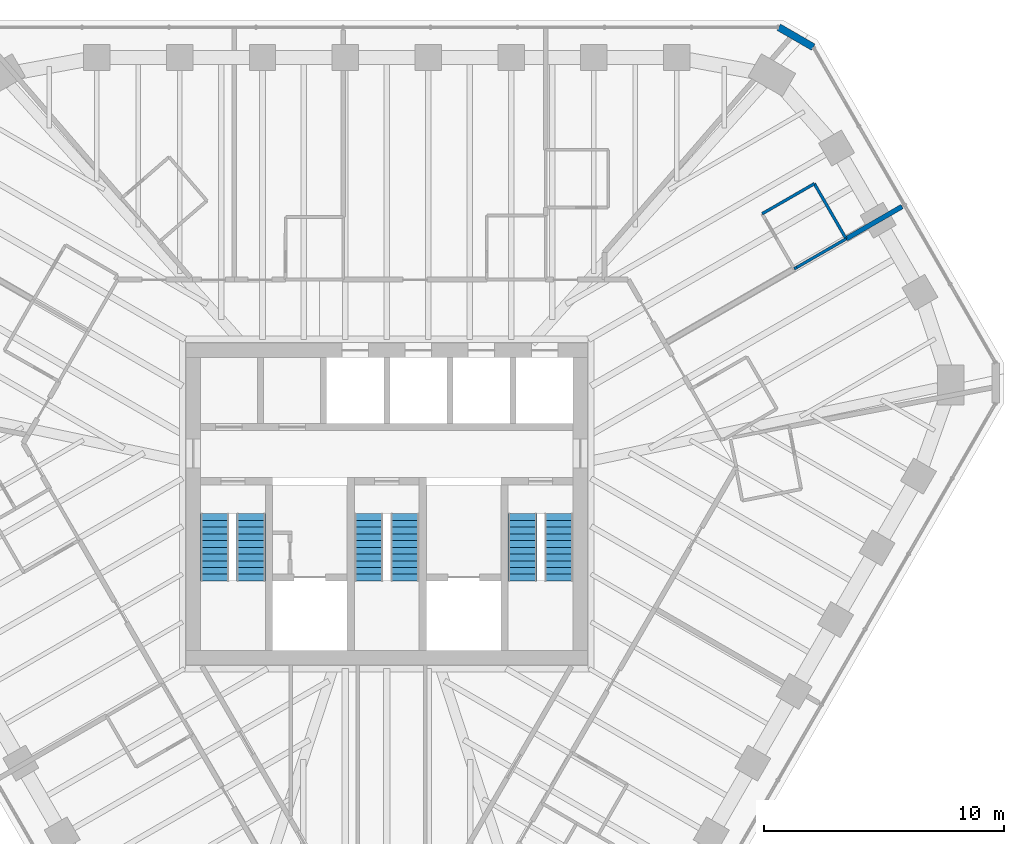
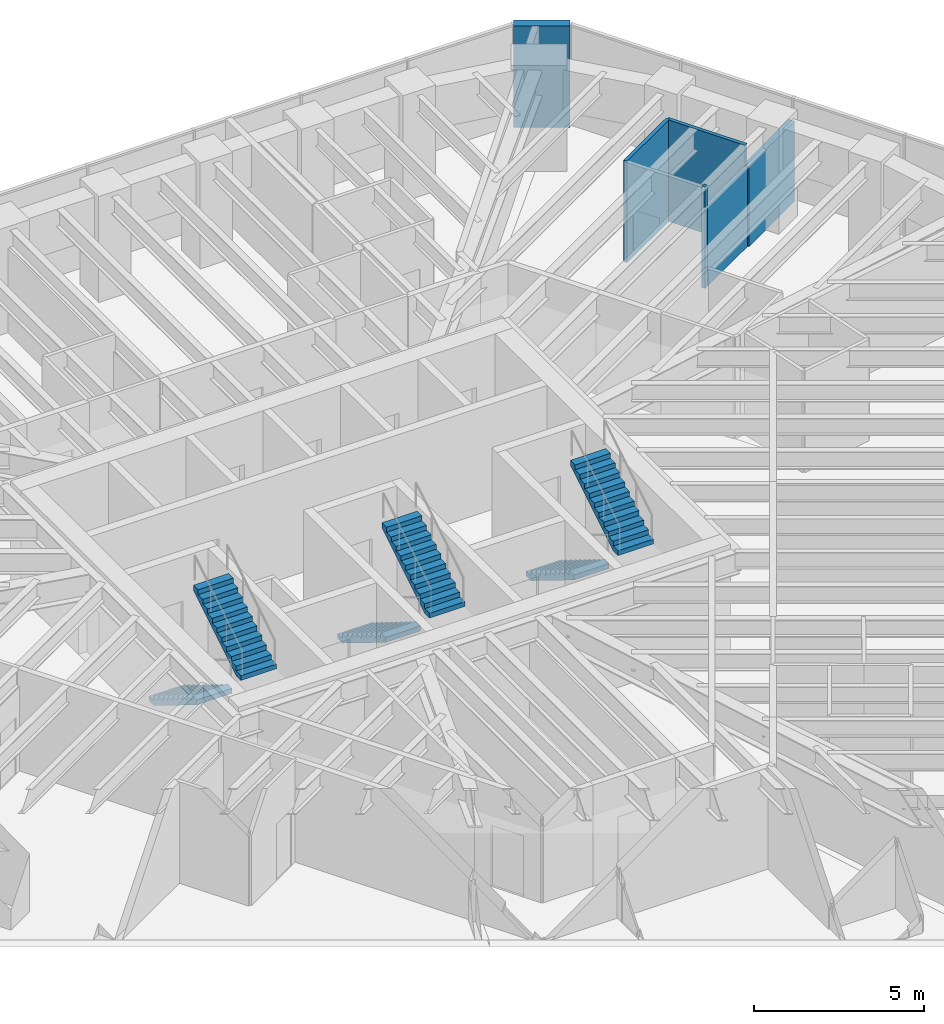
# One storey, part 13 of 14: 6 stair flights, 6 walls, 3 elements without a shape of their own.
"""IFC4 building model written with IfcOpenShell, lengths in metres."""

from ifc_helpers import new_model, si_unit, direction, frame, frame_2d, origin, place, context, subcontext, project, spatial, polyline, rectangle, outline, extrude, material, layer, layer_set, type_object, element, aggregate, save


model = new_model("IFC4")

# Units and contexts
model_context = context("Model", 3, precision=1e-05, world=origin(), true_north=direction((0.0, 1.0)))
body_context = subcontext(model_context, "Body", "Model", "MODEL_VIEW")
ifc_project = project(units=[si_unit("LENGTHUNIT", "METRE"), si_unit("AREAUNIT", "SQUARE_METRE"), si_unit("VOLUMEUNIT", "CUBIC_METRE"), si_unit("PLANEANGLEUNIT", "RADIAN"), si_unit("MASSUNIT", "GRAM", prefix="KILO")], contexts=[model_context])

# Site, building, storey
site_placement = place(None, origin())
site = spatial("IfcSite", under=ifc_project, at=site_placement, CompositionType="ELEMENT")
building_placement = place(site_placement, origin())
building = spatial("IfcBuilding", under=site, at=building_placement, Name="Sandreach Pilgrim Tower", CompositionType="ELEMENT")
storey_placement = place(building_placement, frame((0.0, 0.0, 268.39990234375)))
storey = spatial("IfcBuildingStorey", under=building, at=storey_placement, Name="L67", CompositionType="ELEMENT", Elevation=268.39990234375)

# Walls
ifc_material_1 = material(Name="Moisture-resistant gypsum board on steel studs", Category="steel")
ifc_layer_1 = layer(ifc_material_1, 0.1201171875)
ifc_layer_set_1 = layer_set([ifc_layer_1], Name="Bathroom partition 120")
wall_type_1 = type_object("IfcWallType", Name="Bathroom partition 120", PredefinedType="PARTITIONING", material=ifc_layer_set_1)
wall_1_placement = place(storey_placement, frame((16.93994140625, 9.780029296875, 0.0), z_axis=(0.0, 0.0, 1.0), x_axis=(0.877895572914, 0.478852130681, 0.0)))
element("IfcWall", 1, at=wall_1_placement, inside=storey, type_object=wall_type_1, Name="Bathroom partition L67-121", PredefinedType="PARTITIONING", context=body_context, shape_type="SweptSolid", body=[
    extrude(rectangle(XDim=0.12548828125, YDim=0.1201171875, at=frame_2d((0.062744140625, 0.0))), origin(), (0.0, 0.0, 1.0), 3.64013671875),
])
wall_2_placement = place(storey_placement, frame((17.050048828125, 9.840087890625, 0.0), z_axis=(0.0, 0.0, 1.0), x_axis=(0.865741107356, 0.500492092878, 0.0)))
element("IfcWall", 2, at=wall_2_placement, inside=storey, type_object=wall_type_1, Name="Bathroom partition L67-122", PredefinedType="PARTITIONING", context=body_context, shape_type="SweptSolid", body=[
    extrude(rectangle(XDim=2.3701171875, YDim=0.1201171875, at=frame_2d((1.18505859375, 0.0))), origin(), (0.0, 0.0, 1.0), 2.878173828125),
])
wall_3_placement = place(storey_placement, frame((17.780029296875, 13.320068359375, 0.0), z_axis=(0.0, 0.0, 1.0), x_axis=(-0.86653430447, -0.499117520406, 0.0)))
element("IfcWall", 3, at=wall_3_placement, inside=storey, type_object=wall_type_1, Name="Bathroom partition L67-124", PredefinedType="PARTITIONING", context=body_context, shape_type="SweptSolid", body=[
    extrude(rectangle(XDim=2.50439453125, YDim=0.1201171875, at=frame_2d((1.252197265625, 0.0))), origin(), (0.0, 0.0, 1.0), 3.64013671875),
])
wall_4_placement = place(storey_placement, frame((19.10009765625, 11.030029296875, 0.0), z_axis=(0.0, 0.0, 1.0), x_axis=(-0.499407914056, 0.866366975004, 0.0)))
element("IfcWall", 4, at=wall_4_placement, inside=storey, type_object=wall_type_1, Name="Bathroom partition L67-126", PredefinedType="PARTITIONING", context=body_context, shape_type="SweptSolid", body=[
    extrude(rectangle(XDim=2.643310546875, YDim=0.1201171875, at=frame_2d((1.32177734375, 0.0))), origin(), (0.0, 0.0, 1.0), 3.64013671875),
])
ifc_material_2 = material(Name="Double steel stud acoustic wall, gypsum board", Category="steel")
ifc_layer_2 = layer(ifc_material_2, 0.199951171875)
ifc_layer_set_2 = layer_set([ifc_layer_2], Name="Party wall 200")
wall_type_2 = type_object("IfcWallType", Name="Party wall 200", PredefinedType="PARTITIONING", material=ifc_layer_set_2)
wall_5_placement = place(storey_placement, frame((19.10205078125, 11.0263671875, 0.0), z_axis=(0.0, 0.0, 1.0), x_axis=(0.865741604349, 0.50049123319, 0.0)))
element("IfcWall", 5, at=wall_5_placement, inside=storey, type_object=wall_type_2, Name="Party wall L67-127", PredefinedType="PARTITIONING", context=body_context, shape_type="SweptSolid", body=[
    extrude(rectangle(XDim=2.684326171875, YDim=0.199951171875, at=frame_2d((1.34228515625, 0.0))), origin(), (0.0, 0.0, 1.0), 2.878173828125),
])
ifc_material_3 = material(Name="Terracotta rainscreen on concrete", Category="masonry")
ifc_layer_3 = layer(ifc_material_3, 0.300048828125)
ifc_layer_set_3 = layer_set([ifc_layer_3], Name="Terracotta chamfer pier")
wall_type_3 = type_object("IfcWallType", Name="Terracotta chamfer pier", PredefinedType="SOLIDWALL", material=ifc_layer_set_3)
wall_6_placement = place(storey_placement, frame((16.29833984375, 19.826416015625, 0.0), z_axis=(0.0, 0.0, 1.0), x_axis=(0.866026405774, -0.499998264499, 0.0)))
element("IfcWall", 6, at=wall_6_placement, inside=storey, type_object=wall_type_3, Name="Chamfer pier L67 N", PredefinedType="SOLIDWALL", context=body_context, shape_type="SweptSolid", body=[
    extrude(rectangle(XDim=1.66015625, YDim=0.300048828125, at=frame_2d((0.830078125, 0.0))), origin(), (0.0, 0.0, 1.0), 3.64013671875),
])

# Stair, stair flights
ifc_material_4 = material(Name="Concrete 8000 psi", Category="concrete")
stair_type = type_object("IfcStairType", Name="Core exit stair", PredefinedType="HALF_TURN_STAIR", material=ifc_material_4)
stair_1_placement = place(storey_placement, origin())
stair_1 = element("IfcStair", 7, at=stair_1_placement, inside=storey, type_object=stair_type, Name="Exit stair ST1 L67", PredefinedType="HALF_TURN_STAIR")
ifc_material_5 = material(Name="Concrete 8000 psi", Category="concrete")
stair_flight_type = type_object("IfcStairFlightType", Name="Core stair flight 1200", PredefinedType="STRAIGHT", material=ifc_material_5)
stair_flight_1_placement = place(storey_placement, frame((-7.14990234375, -0.39990234375, 0.0), z_axis=(0.0, 0.0, 1.0), x_axis=(0.0, -1.0, 0.0)))
stair_flight_1 = element("IfcStairFlight", 8, at=stair_flight_1_placement, type_object=stair_flight_type, Name="ST1 flight 1", NumberOfRisers=11, NumberOfTreads=10, PredefinedType="STRAIGHT", RiserHeight=0.172727273, TreadLength=0.28, context=body_context, shape_type="SweptSolid", body=[
    extrude(outline(polyline([(0.0, 0.0), (0.0, 0.172607421875), (0.280029296875, 0.172607421875), (0.280029296875, 0.345458984375), (0.56005859375, 0.345458984375), (0.56005859375, 0.51806640625), (0.840087890625, 0.51806640625), (0.840087890625, 0.69091796875), (1.1201171875, 0.69091796875), (1.1201171875, 0.863525390625), (1.39990234375, 0.863525390625), (1.39990234375, 1.036376953125), (1.679931640625, 1.036376953125), (1.679931640625, 1.208984375), (1.9599609375, 1.208984375), (1.9599609375, 1.3818359375), (2.239990234375, 1.3818359375), (2.239990234375, 1.554443359375), (2.52001953125, 1.554443359375), (2.52001953125, 1.727294921875), (2.800048828125, 1.727294921875), (2.800048828125, 1.89990234375), (2.800048828125, 1.551025390625), (0.285400390625, 0.0), (0.0, 0.0)])), frame((0.0, 0.60009765625, 0.0), z_axis=(0.0, -1.0, 0.0), x_axis=(1.0, 0.0, 0.0)), (0.0, 0.0, 1.0), 1.199951171875),
])
stair_flight_2_placement = place(storey_placement, frame((-5.64990234375, -3.199951171875, 1.900146484375), z_axis=(0.0, 0.0, 1.0), x_axis=(0.0, 1.0, 0.0)))
stair_flight_2 = element("IfcStairFlight", 9, at=stair_flight_2_placement, type_object=stair_flight_type, Name="ST1 flight 2", NumberOfRisers=11, NumberOfTreads=10, PredefinedType="STRAIGHT", RiserHeight=0.172727273, TreadLength=0.28, context=body_context, shape_type="SweptSolid", body=[
    extrude(outline(polyline([(0.0, 0.0), (0.0, 0.172607421875), (0.280029296875, 0.172607421875), (0.280029296875, 0.345458984375), (0.56005859375, 0.345458984375), (0.56005859375, 0.51806640625), (0.840087890625, 0.51806640625), (0.840087890625, 0.69091796875), (1.1201171875, 0.69091796875), (1.1201171875, 0.863525390625), (1.39990234375, 0.863525390625), (1.39990234375, 1.036376953125), (1.679931640625, 1.036376953125), (1.679931640625, 1.208984375), (1.9599609375, 1.208984375), (1.9599609375, 1.3818359375), (2.239990234375, 1.3818359375), (2.239990234375, 1.554443359375), (2.52001953125, 1.554443359375), (2.52001953125, 1.727294921875), (2.800048828125, 1.727294921875), (2.800048828125, 1.89990234375), (2.800048828125, 1.551025390625), (0.285400390625, 0.0), (0.0, 0.0)])), frame((0.0, 0.60009765625, 0.0), z_axis=(0.0, -1.0, 0.0), x_axis=(1.0, 0.0, 0.0)), (0.0, 0.0, 1.0), 1.199951171875),
])
aggregate(stair_1, [stair_flight_1, stair_flight_2])

stair_2_placement = place(storey_placement, origin())
stair_2 = element("IfcStair", 10, at=stair_2_placement, inside=storey, type_object=stair_type, Name="Exit stair ST3 L67", PredefinedType="HALF_TURN_STAIR")
stair_flight_3_placement = place(storey_placement, frame((-0.75, -0.39990234375, 0.0), z_axis=(0.0, 0.0, 1.0), x_axis=(0.0, -1.0, 0.0)))
stair_flight_3 = element("IfcStairFlight", 11, at=stair_flight_3_placement, type_object=stair_flight_type, Name="ST3 flight 1", NumberOfRisers=11, NumberOfTreads=10, PredefinedType="STRAIGHT", RiserHeight=0.172727273, TreadLength=0.28, context=body_context, shape_type="SweptSolid", body=[
    extrude(outline(polyline([(0.0, 0.0), (0.0, 0.172607421875), (0.280029296875, 0.172607421875), (0.280029296875, 0.345458984375), (0.56005859375, 0.345458984375), (0.56005859375, 0.51806640625), (0.840087890625, 0.51806640625), (0.840087890625, 0.69091796875), (1.1201171875, 0.69091796875), (1.1201171875, 0.863525390625), (1.39990234375, 0.863525390625), (1.39990234375, 1.036376953125), (1.679931640625, 1.036376953125), (1.679931640625, 1.208984375), (1.9599609375, 1.208984375), (1.9599609375, 1.3818359375), (2.239990234375, 1.3818359375), (2.239990234375, 1.554443359375), (2.52001953125, 1.554443359375), (2.52001953125, 1.727294921875), (2.800048828125, 1.727294921875), (2.800048828125, 1.89990234375), (2.800048828125, 1.551025390625), (0.285400390625, 0.0), (0.0, 0.0)])), frame((0.0, 0.60009765625, 0.0), z_axis=(0.0, -1.0, 0.0), x_axis=(1.0, 0.0, 0.0)), (0.0, 0.0, 1.0), 1.199951171875),
])
stair_flight_4_placement = place(storey_placement, frame((0.75, -3.199951171875, 1.900146484375), z_axis=(0.0, 0.0, 1.0), x_axis=(0.0, 1.0, 0.0)))
stair_flight_4 = element("IfcStairFlight", 12, at=stair_flight_4_placement, type_object=stair_flight_type, Name="ST3 flight 2", NumberOfRisers=11, NumberOfTreads=10, PredefinedType="STRAIGHT", RiserHeight=0.172727273, TreadLength=0.28, context=body_context, shape_type="SweptSolid", body=[
    extrude(outline(polyline([(0.0, 0.0), (0.0, 0.172607421875), (0.280029296875, 0.172607421875), (0.280029296875, 0.345458984375), (0.56005859375, 0.345458984375), (0.56005859375, 0.51806640625), (0.840087890625, 0.51806640625), (0.840087890625, 0.69091796875), (1.1201171875, 0.69091796875), (1.1201171875, 0.863525390625), (1.39990234375, 0.863525390625), (1.39990234375, 1.036376953125), (1.679931640625, 1.036376953125), (1.679931640625, 1.208984375), (1.9599609375, 1.208984375), (1.9599609375, 1.3818359375), (2.239990234375, 1.3818359375), (2.239990234375, 1.554443359375), (2.52001953125, 1.554443359375), (2.52001953125, 1.727294921875), (2.800048828125, 1.727294921875), (2.800048828125, 1.89990234375), (2.800048828125, 1.551025390625), (0.285400390625, 0.0), (0.0, 0.0)])), frame((0.0, 0.60009765625, 0.0), z_axis=(0.0, -1.0, 0.0), x_axis=(1.0, 0.0, 0.0)), (0.0, 0.0, 1.0), 1.199951171875),
])
aggregate(stair_2, [stair_flight_3, stair_flight_4])

stair_3_placement = place(storey_placement, origin())
stair_3 = element("IfcStair", 13, at=stair_3_placement, inside=storey, type_object=stair_type, Name="Exit stair ST2 L67", PredefinedType="HALF_TURN_STAIR")
stair_flight_5_placement = place(storey_placement, frame((5.64990234375, -0.39990234375, 0.0), z_axis=(0.0, 0.0, 1.0), x_axis=(0.0, -1.0, 0.0)))
stair_flight_5 = element("IfcStairFlight", 14, at=stair_flight_5_placement, type_object=stair_flight_type, Name="ST2 flight 1", NumberOfRisers=11, NumberOfTreads=10, PredefinedType="STRAIGHT", RiserHeight=0.172727273, TreadLength=0.28, context=body_context, shape_type="SweptSolid", body=[
    extrude(outline(polyline([(0.0, 0.0), (0.0, 0.172607421875), (0.280029296875, 0.172607421875), (0.280029296875, 0.345458984375), (0.56005859375, 0.345458984375), (0.56005859375, 0.51806640625), (0.840087890625, 0.51806640625), (0.840087890625, 0.69091796875), (1.1201171875, 0.69091796875), (1.1201171875, 0.863525390625), (1.39990234375, 0.863525390625), (1.39990234375, 1.036376953125), (1.679931640625, 1.036376953125), (1.679931640625, 1.208984375), (1.9599609375, 1.208984375), (1.9599609375, 1.3818359375), (2.239990234375, 1.3818359375), (2.239990234375, 1.554443359375), (2.52001953125, 1.554443359375), (2.52001953125, 1.727294921875), (2.800048828125, 1.727294921875), (2.800048828125, 1.89990234375), (2.800048828125, 1.551025390625), (0.285400390625, 0.0), (0.0, 0.0)])), frame((0.0, 0.60009765625, 0.0), z_axis=(0.0, -1.0, 0.0), x_axis=(1.0, 0.0, 0.0)), (0.0, 0.0, 1.0), 1.199951171875),
])
stair_flight_6_placement = place(storey_placement, frame((7.14990234375, -3.199951171875, 1.900146484375), z_axis=(0.0, 0.0, 1.0), x_axis=(0.0, 1.0, 0.0)))
stair_flight_6 = element("IfcStairFlight", 15, at=stair_flight_6_placement, type_object=stair_flight_type, Name="ST2 flight 2", NumberOfRisers=11, NumberOfTreads=10, PredefinedType="STRAIGHT", RiserHeight=0.172727273, TreadLength=0.28, context=body_context, shape_type="SweptSolid", body=[
    extrude(outline(polyline([(0.0, 0.0), (0.0, 0.172607421875), (0.280029296875, 0.172607421875), (0.280029296875, 0.345458984375), (0.56005859375, 0.345458984375), (0.56005859375, 0.51806640625), (0.840087890625, 0.51806640625), (0.840087890625, 0.69091796875), (1.1201171875, 0.69091796875), (1.1201171875, 0.863525390625), (1.39990234375, 0.863525390625), (1.39990234375, 1.036376953125), (1.679931640625, 1.036376953125), (1.679931640625, 1.208984375), (1.9599609375, 1.208984375), (1.9599609375, 1.3818359375), (2.239990234375, 1.3818359375), (2.239990234375, 1.554443359375), (2.52001953125, 1.554443359375), (2.52001953125, 1.727294921875), (2.800048828125, 1.727294921875), (2.800048828125, 1.89990234375), (2.800048828125, 1.551025390625), (0.285400390625, 0.0), (0.0, 0.0)])), frame((0.0, 0.60009765625, 0.0), z_axis=(0.0, -1.0, 0.0), x_axis=(1.0, 0.0, 0.0)), (0.0, 0.0, 1.0), 1.199951171875),
])
aggregate(stair_3, [stair_flight_5, stair_flight_6])

save(model, "model.ifc")
